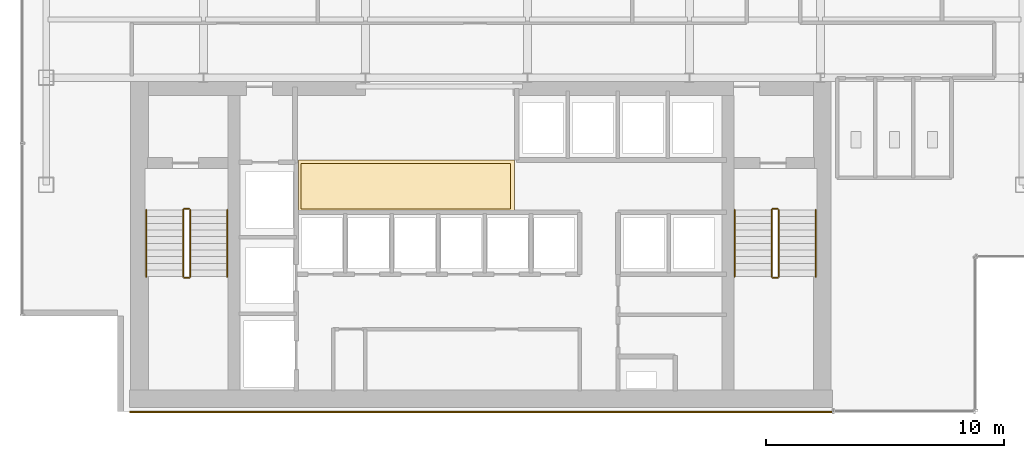
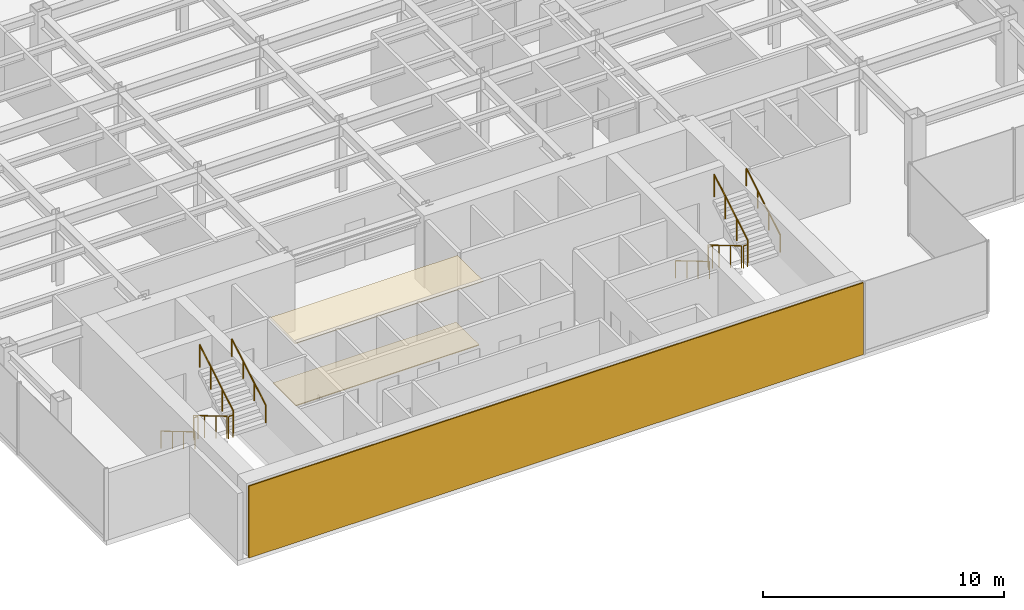
# One storey, part 23 of 25: 12 railings, 3 coverings.
"""IFC4 building model written with IfcOpenShell, lengths in metres."""

from ifc_helpers import new_model, si_unit, derived_unit, direction, frame, origin, origin_2d, place, context, subcontext, project, spatial, polyline, rectangle, circle, outline, extrude, source, transform, mapped, material, layer, layer_set, type_object, element, save


model = new_model("IFC4")

# Units and contexts
model_context = context("Model", 3, precision=1e-05, world=origin(), true_north=direction((0.0, 1.0)))
body_context = subcontext(model_context, "Body", "Model", "MODEL_VIEW")
ifc_project = project(units=[si_unit("LENGTHUNIT", "METRE"), si_unit("AREAUNIT", "SQUARE_METRE"), si_unit("VOLUMEUNIT", "CUBIC_METRE"), si_unit("PLANEANGLEUNIT", "RADIAN"), si_unit("MASSUNIT", "GRAM", prefix="KILO"), derived_unit("THERMALTRANSMITTANCEUNIT", [(si_unit("POWERUNIT", "WATT"), 1), (si_unit("LENGTHUNIT", "METRE"), -2), (si_unit("THERMODYNAMICTEMPERATUREUNIT", "KELVIN"), -1)])], contexts=[model_context])

# Site, building, storey
site_placement = place(None, origin())
site = spatial("IfcSite", under=ifc_project, at=site_placement, CompositionType="ELEMENT")
building_placement = place(site_placement, origin())
building = spatial("IfcBuilding", under=site, at=building_placement, Name="Skarnbrae Concourse Arena and Tower", CompositionType="ELEMENT")
storey_placement = place(building_placement, frame((0.0, 0.0, 151.550048828125)))
storey = spatial("IfcBuildingStorey", under=building, at=storey_placement, Name="L38", CompositionType="ELEMENT", Elevation=151.550048828125)

# Coverings
ifc_material_1 = material(Name="Mineral fibre acoustic ceiling tile", Category="other")
ifc_layer_1 = layer(ifc_material_1, 0.0400390625)
ifc_layer_set_1 = layer_set([ifc_layer_1], Name="Mineral fibre acoustic ceiling tile")
covering_type_1 = type_object("IfcCoveringType", Name="COV-CEIL-ACOUSTIC", PredefinedType="CEILING", material=ifc_layer_set_1)
covering_1_placement = place(storey_placement, frame((0.0, 0.0, 3.239990234375)))
element("IfcCovering", 1, at=covering_1_placement, inside=storey, type_object=covering_type_1, Name="L38 Lift lobby acoustic ceiling", PredefinedType="CEILING", context=body_context, shape_type="SweptSolid", body=[
    extrude(outline(polyline([(11.60009765625, 8.39990234375), (20.64990234375, 8.39990234375), (20.64990234375, 10.550048828125), (11.60009765625, 10.550048828125), (11.60009765625, 8.39990234375)])), origin(), (0.0, 0.0, 1.0), 0.0400390625),
])
ifc_material_2 = material(Name="Polished granite terrazzo flooring", Category="masonry")
ifc_layer_2 = layer(ifc_material_2, 0.0400390625)
ifc_layer_set_2 = layer_set([ifc_layer_2], Name="Polished granite terrazzo flooring")
covering_type_2 = type_object("IfcCoveringType", Name="COV-FLOOR-TERRAZZO", PredefinedType="FLOORING", material=ifc_layer_set_2)
covering_2_placement = place(storey_placement, origin())
element("IfcCovering", 2, at=covering_2_placement, inside=storey, type_object=covering_type_2, Name="L38 Lift lobby terrazzo flooring", PredefinedType="FLOORING", context=body_context, shape_type="SweptSolid", body=[
    extrude(outline(polyline([(11.699951171875, 8.5), (20.5, 8.5), (20.5, 10.39990234375), (11.699951171875, 10.39990234375), (11.699951171875, 8.5)])), origin(), (0.0, 0.0, 1.0), 0.0400390625),
])

# Railings
ifc_material_3 = material(Name="Steel CSA G40.21 350W", Category="steel")
railing_type_1 = type_object("IfcRailingType", Name="RAIL-HANDRAIL-900", PredefinedType="HANDRAIL", material=ifc_material_3)
railing_1_placement = place(storey_placement, frame((5.199951171875, 8.449951171875, 0.165771484375)))
element("IfcRailing", 3, at=railing_1_placement, inside=storey, type_object=railing_type_1, Name="L38 ST-1 stair handrail 1", PredefinedType="HANDRAIL", context=body_context, shape_type="SweptSolid", body=[
    extrude(circle(Radius=0.02392578125, at=origin_2d()), frame((0.0, 0.0, 0.8759765625), z_axis=(0.0, -0.860306154799, 0.50977771628), x_axis=(1.0, 0.0, 0.0)), (0.0, 0.0, 1.0), 3.254638671875),
    extrude(circle(Radius=0.02099609375, at=origin_2d()), origin(), (0.0, 0.0, 1.0), 0.851806640625),
    extrude(circle(Radius=0.02099609375, at=origin_2d()), frame((0.0, -0.933349609375, 0.552978515625)), (0.0, 0.0, 1.0), 0.851806640625),
    extrude(circle(Radius=0.02099609375, at=origin_2d()), frame((0.0, -1.86669921875, 1.106201171875)), (0.0, 0.0, 1.0), 0.851806640625),
    extrude(circle(Radius=0.02099609375, at=origin_2d()), frame((0.0, -2.800048828125, 1.6591796875)), (0.0, 0.0, 1.0), 0.851806640625),
])
railing_2_placement = place(storey_placement, frame((8.60009765625, 5.64990234375, 1.990966796875)))
element("IfcRailing", 4, at=railing_2_placement, inside=storey, type_object=railing_type_1, Name="L38 ST-1 stair handrail 2", PredefinedType="HANDRAIL", context=body_context, shape_type="SweptSolid", body=[
    extrude(circle(Radius=0.02392578125, at=origin_2d()), frame((0.0, 0.0, 0.8759765625), z_axis=(0.0, 0.860339051648, 0.50972219513), x_axis=(-1.0, 0.0, 0.0)), (0.0, 0.0, 1.0), 3.254638671875),
    extrude(circle(Radius=0.02099609375, at=origin_2d()), origin(), (0.0, 0.0, 1.0), 0.851806640625),
    extrude(circle(Radius=0.02099609375, at=origin_2d()), frame((0.0, 0.933349609375, 0.552978515625)), (0.0, 0.0, 1.0), 0.851806640625),
    extrude(circle(Radius=0.02099609375, at=origin_2d()), frame((0.0, 1.86669921875, 1.10595703125)), (0.0, 0.0, 1.0), 0.851806640625),
    extrude(circle(Radius=0.02099609375, at=origin_2d()), frame((0.0, 2.800048828125, 1.658935546875)), (0.0, 0.0, 1.0), 0.851806640625),
])
railing_3_placement = place(storey_placement, frame((29.89990234375, 8.449951171875, 0.165771484375)))
element("IfcRailing", 5, at=railing_3_placement, inside=storey, type_object=railing_type_1, Name="L38 ST-2 stair handrail 1", PredefinedType="HANDRAIL", context=body_context, shape_type="SweptSolid", body=[
    extrude(circle(Radius=0.02392578125, at=origin_2d()), frame((0.0, 0.0, 0.8759765625), z_axis=(0.0, -0.860306154799, 0.50977771628), x_axis=(1.0, 0.0, 0.0)), (0.0, 0.0, 1.0), 3.254638671875),
    extrude(circle(Radius=0.02099609375, at=origin_2d()), origin(), (0.0, 0.0, 1.0), 0.851806640625),
    extrude(circle(Radius=0.02099609375, at=origin_2d()), frame((0.0, -0.933349609375, 0.552978515625)), (0.0, 0.0, 1.0), 0.851806640625),
    extrude(circle(Radius=0.02099609375, at=origin_2d()), frame((0.0, -1.86669921875, 1.106201171875)), (0.0, 0.0, 1.0), 0.851806640625),
    extrude(circle(Radius=0.02099609375, at=origin_2d()), frame((0.0, -2.800048828125, 1.6591796875)), (0.0, 0.0, 1.0), 0.851806640625),
])
railing_4_placement = place(storey_placement, frame((33.300048828125, 5.64990234375, 1.990966796875)))
element("IfcRailing", 6, at=railing_4_placement, inside=storey, type_object=railing_type_1, Name="L38 ST-2 stair handrail 2", PredefinedType="HANDRAIL", context=body_context, shape_type="SweptSolid", body=[
    extrude(circle(Radius=0.02392578125, at=origin_2d()), frame((0.0, 0.0, 0.8759765625), z_axis=(0.0, 0.860339051648, 0.50972219513), x_axis=(-1.0, 0.0, 0.0)), (0.0, 0.0, 1.0), 3.254638671875),
    extrude(circle(Radius=0.02099609375, at=origin_2d()), origin(), (0.0, 0.0, 1.0), 0.851806640625),
    extrude(circle(Radius=0.02099609375, at=origin_2d()), frame((0.0, 0.933349609375, 0.552978515625)), (0.0, 0.0, 1.0), 0.851806640625),
    extrude(circle(Radius=0.02099609375, at=origin_2d()), frame((0.0, 1.86669921875, 1.10595703125)), (0.0, 0.0, 1.0), 0.851806640625),
    extrude(circle(Radius=0.02099609375, at=origin_2d()), frame((0.0, 2.800048828125, 1.658935546875)), (0.0, 0.0, 1.0), 0.851806640625),
])
railing_type_2 = type_object("IfcRailingType", Name="RAIL-STAIR-GUARD-1150", PredefinedType="GUARDRAIL", material=ifc_material_3)
railing_5_placement = place(storey_placement, frame((6.75, 8.449951171875, 0.165771484375)))
element("IfcRailing", 7, at=railing_5_placement, inside=storey, type_object=railing_type_2, Name="L38 ST-1 stair guard 1", PredefinedType="GUARDRAIL", context=body_context, shape_type="SweptSolid", body=[
    extrude(circle(Radius=0.02392578125, at=origin_2d()), frame((0.0, 0.0, 1.1259765625), z_axis=(0.0, -0.860306154799, 0.50977771628), x_axis=(1.0, 0.0, 0.0)), (0.0, 0.0, 1.0), 3.254638671875),
    extrude(circle(Radius=0.02099609375, at=origin_2d()), origin(), (0.0, 0.0, 1.0), 1.101806640625),
    extrude(circle(Radius=0.02099609375, at=origin_2d()), frame((0.0, -0.933349609375, 0.552978515625)), (0.0, 0.0, 1.0), 1.101806640625),
    extrude(circle(Radius=0.02099609375, at=origin_2d()), frame((0.0, -1.86669921875, 1.106201171875)), (0.0, 0.0, 1.0), 1.101806640625),
    extrude(circle(Radius=0.02099609375, at=origin_2d()), frame((0.0, -2.800048828125, 1.6591796875)), (0.0, 0.0, 1.0), 1.101806640625),
])
railing_6_placement = place(storey_placement, frame((6.800048828125, 5.60009765625, 1.824951171875)))
element("IfcRailing", 8, at=railing_6_placement, inside=storey, type_object=railing_type_2, Name="L38 ST-1 stair guard 2", PredefinedType="GUARDRAIL", context=body_context, shape_type="SweptSolid", body=[
    extrude(circle(Radius=0.02392578125, at=origin_2d()), frame((0.0, 0.0, 1.1259765625), z_axis=(1.0, 0.0, 0.0), x_axis=(0.0, 1.0, 0.0)), (0.0, 0.0, 1.0), 0.199951171875),
    extrude(circle(Radius=0.02099609375, at=origin_2d()), origin(), (0.0, 0.0, 1.0), 1.101806640625),
    extrude(circle(Radius=0.02099609375, at=origin_2d()), frame((0.199951171875, 0.0, 0.0)), (0.0, 0.0, 1.0), 1.101806640625),
])
railing_7_placement = place(storey_placement, frame((7.050048828125, 5.64990234375, 1.990966796875)))
element("IfcRailing", 9, at=railing_7_placement, inside=storey, type_object=railing_type_2, Name="L38 ST-1 stair guard 3", PredefinedType="GUARDRAIL", context=body_context, shape_type="SweptSolid", body=[
    extrude(circle(Radius=0.02392578125, at=origin_2d()), frame((0.0, 0.0, 1.1259765625), z_axis=(0.0, 0.860339051648, 0.50972219513), x_axis=(-1.0, 0.0, 0.0)), (0.0, 0.0, 1.0), 3.254638671875),
    extrude(circle(Radius=0.02099609375, at=origin_2d()), origin(), (0.0, 0.0, 1.0), 1.101806640625),
    extrude(circle(Radius=0.02099609375, at=origin_2d()), frame((0.0, 0.933349609375, 0.552978515625)), (0.0, 0.0, 1.0), 1.101806640625),
    extrude(circle(Radius=0.02099609375, at=origin_2d()), frame((0.0, 1.86669921875, 1.10595703125)), (0.0, 0.0, 1.0), 1.101806640625),
    extrude(circle(Radius=0.02099609375, at=origin_2d()), frame((0.0, 2.800048828125, 1.658935546875)), (0.0, 0.0, 1.0), 1.101806640625),
])
railing_8_placement = place(storey_placement, frame((6.800048828125, 8.5, 0.0)))
element("IfcRailing", 10, at=railing_8_placement, inside=storey, type_object=railing_type_2, Name="L38 ST-1 stair guard 4", PredefinedType="GUARDRAIL", context=body_context, shape_type="SweptSolid", body=[
    extrude(circle(Radius=0.02392578125, at=origin_2d()), frame((0.0, 0.0, 1.1259765625), z_axis=(1.0, 0.0, 0.0), x_axis=(0.0, 1.0, 0.0)), (0.0, 0.0, 1.0), 0.199951171875),
    extrude(circle(Radius=0.02099609375, at=origin_2d()), origin(), (0.0, 0.0, 1.0), 1.101806640625),
    extrude(circle(Radius=0.02099609375, at=origin_2d()), frame((0.199951171875, 0.0, 0.0)), (0.0, 0.0, 1.0), 1.101806640625),
])
railing_9_placement = place(storey_placement, frame((31.449951171875, 8.449951171875, 0.165771484375)))
element("IfcRailing", 11, at=railing_9_placement, inside=storey, type_object=railing_type_2, Name="L38 ST-2 stair guard 1", PredefinedType="GUARDRAIL", context=body_context, shape_type="SweptSolid", body=[
    extrude(circle(Radius=0.02392578125, at=origin_2d()), frame((0.0, 0.0, 1.1259765625), z_axis=(0.0, -0.860306154799, 0.50977771628), x_axis=(1.0, 0.0, 0.0)), (0.0, 0.0, 1.0), 3.254638671875),
    extrude(circle(Radius=0.02099609375, at=origin_2d()), origin(), (0.0, 0.0, 1.0), 1.101806640625),
    extrude(circle(Radius=0.02099609375, at=origin_2d()), frame((0.0, -0.933349609375, 0.552978515625)), (0.0, 0.0, 1.0), 1.101806640625),
    extrude(circle(Radius=0.02099609375, at=origin_2d()), frame((0.0, -1.86669921875, 1.106201171875)), (0.0, 0.0, 1.0), 1.101806640625),
    extrude(circle(Radius=0.02099609375, at=origin_2d()), frame((0.0, -2.800048828125, 1.6591796875)), (0.0, 0.0, 1.0), 1.101806640625),
])
railing_10_placement = place(storey_placement, frame((31.5, 5.60009765625, 1.824951171875)))
element("IfcRailing", 12, at=railing_10_placement, inside=storey, type_object=railing_type_2, Name="L38 ST-2 stair guard 2", PredefinedType="GUARDRAIL", context=body_context, shape_type="SweptSolid", body=[
    extrude(circle(Radius=0.02392578125, at=origin_2d()), frame((0.0, 0.0, 1.1259765625), z_axis=(1.0, 0.0, 0.0), x_axis=(0.0, 1.0, 0.0)), (0.0, 0.0, 1.0), 0.199951171875),
    extrude(circle(Radius=0.02099609375, at=origin_2d()), origin(), (0.0, 0.0, 1.0), 1.101806640625),
    extrude(circle(Radius=0.02099609375, at=origin_2d()), frame((0.199951171875, 0.0, 0.0)), (0.0, 0.0, 1.0), 1.101806640625),
])
railing_11_placement = place(storey_placement, frame((31.75, 5.64990234375, 1.990966796875)))
element("IfcRailing", 13, at=railing_11_placement, inside=storey, type_object=railing_type_2, Name="L38 ST-2 stair guard 3", PredefinedType="GUARDRAIL", context=body_context, shape_type="SweptSolid", body=[
    extrude(circle(Radius=0.02392578125, at=origin_2d()), frame((0.0, 0.0, 1.1259765625), z_axis=(0.0, 0.860339051648, 0.50972219513), x_axis=(-1.0, 0.0, 0.0)), (0.0, 0.0, 1.0), 3.254638671875),
    extrude(circle(Radius=0.02099609375, at=origin_2d()), origin(), (0.0, 0.0, 1.0), 1.101806640625),
    extrude(circle(Radius=0.02099609375, at=origin_2d()), frame((0.0, 0.933349609375, 0.552978515625)), (0.0, 0.0, 1.0), 1.101806640625),
    extrude(circle(Radius=0.02099609375, at=origin_2d()), frame((0.0, 1.86669921875, 1.10595703125)), (0.0, 0.0, 1.0), 1.101806640625),
    extrude(circle(Radius=0.02099609375, at=origin_2d()), frame((0.0, 2.800048828125, 1.658935546875)), (0.0, 0.0, 1.0), 1.101806640625),
])
railing_12_placement = place(storey_placement, frame((31.5, 8.5, 0.0)))
element("IfcRailing", 14, at=railing_12_placement, inside=storey, type_object=railing_type_2, Name="L38 ST-2 stair guard 4", PredefinedType="GUARDRAIL", context=body_context, shape_type="SweptSolid", body=[
    extrude(circle(Radius=0.02392578125, at=origin_2d()), frame((0.0, 0.0, 1.1259765625), z_axis=(1.0, 0.0, 0.0), x_axis=(0.0, 1.0, 0.0)), (0.0, 0.0, 1.0), 0.199951171875),
    extrude(circle(Radius=0.02099609375, at=origin_2d()), origin(), (0.0, 0.0, 1.0), 1.101806640625),
    extrude(circle(Radius=0.02099609375, at=origin_2d()), frame((0.199951171875, 0.0, 0.0)), (0.0, 0.0, 1.0), 1.101806640625),
])

# Covering
ifc_material_4 = material(Name="Bronze anodised aluminium 6063-T6", Category="aluminium")
ifc_layer_3 = layer(ifc_material_4, 0.06005859375)
ifc_layer_set_3 = layer_set([ifc_layer_3], Name="Bronze anodised aluminium 6063-T6")
covering_type_3 = type_object("IfcCoveringType", Name="COV-CLAD-BRONZE-60", PredefinedType="CLADDING", material=ifc_layer_set_3)
shared_shape = source(origin(), body_context, "Body", "SweptSolid", [
    extrude(rectangle(XDim=29.5, YDim=0.06005859375, at=origin_2d()), origin(), (0.0, 0.0, 1.0), 3.64990234375),
])
covering_3_placement = place(storey_placement, frame((19.25, -0.030029296875, 0.0), z_axis=(0.0, 0.0, 1.0), x_axis=(1.0, 0.0, 0.0)))
element("IfcCovering", 15, at=covering_3_placement, inside=storey, type_object=covering_type_3, Name="L38 Rear-core plumb spine bronze rainscreen panel", PredefinedType="CLADDING", context=body_context, shape_type="MappedRepresentation", body=[
    mapped(shared_shape, transform((0.0, 0.0, 0.0))),
])

save(model, "model.ifc")
